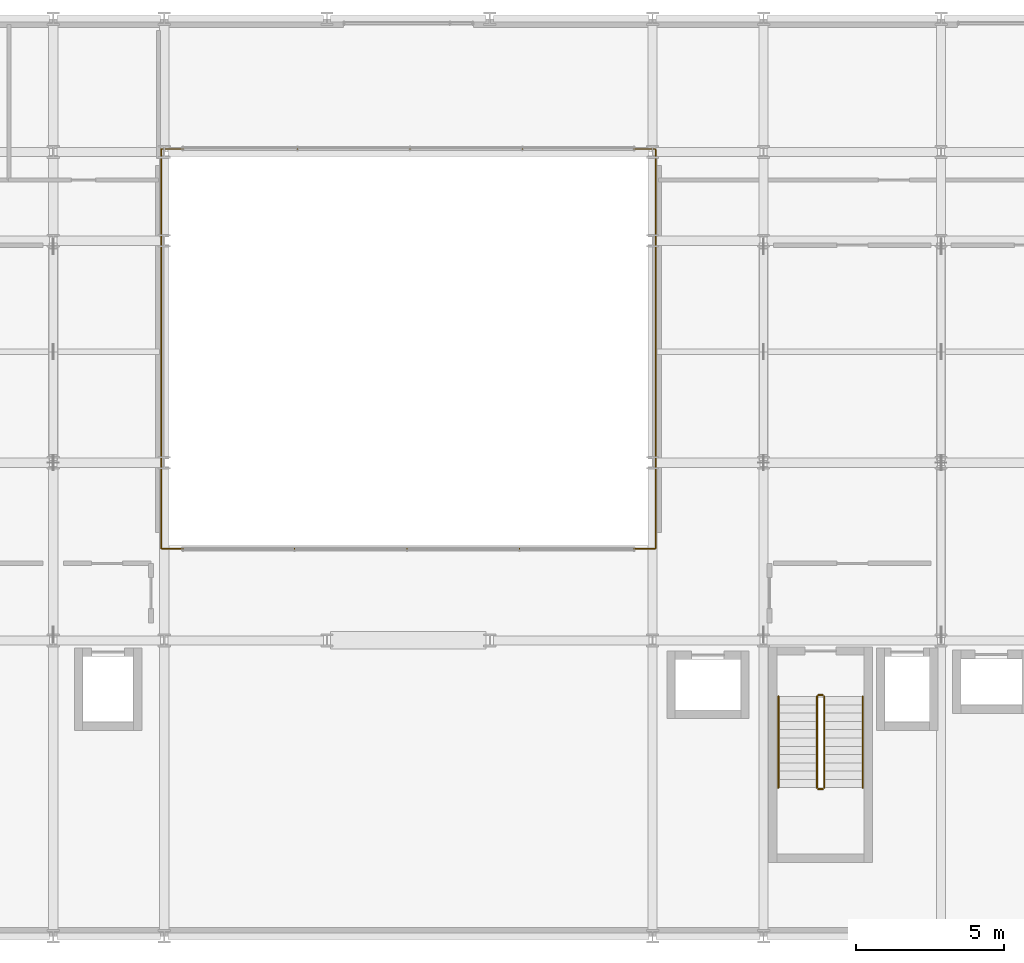
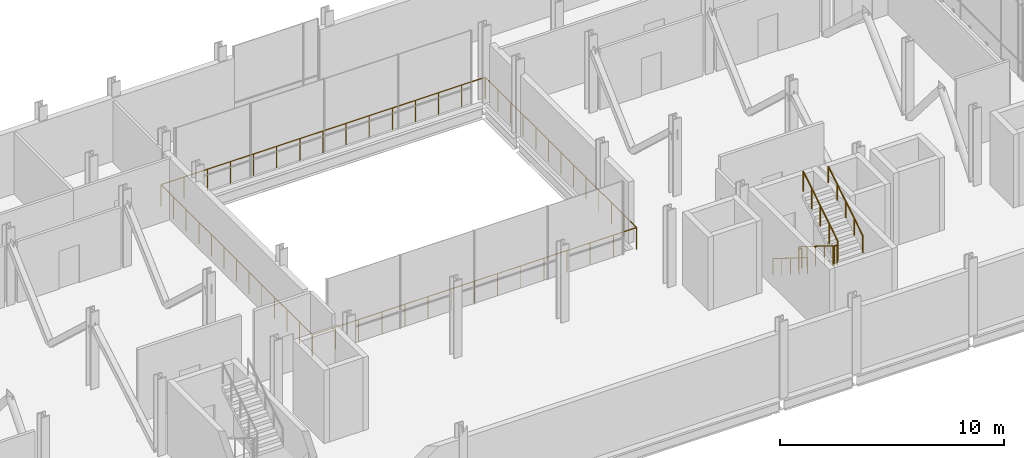
# One storey, part 31 of 32: 8 railings.
"""IFC4 building model written with IfcOpenShell, lengths in metres."""

from ifc_helpers import new_model, si_unit, direction, frame, origin, origin_2d, place, context, subcontext, project, spatial, circle, extrude, material, type_object, element, save


model = new_model("IFC4")

# Units and contexts
model_context = context("Model", 3, precision=1e-05, world=origin(), true_north=direction((0.0, 1.0)))
body_context = subcontext(model_context, "Body", "Model", "MODEL_VIEW")
ifc_project = project(units=[si_unit("LENGTHUNIT", "METRE"), si_unit("AREAUNIT", "SQUARE_METRE"), si_unit("VOLUMEUNIT", "CUBIC_METRE"), si_unit("PLANEANGLEUNIT", "RADIAN"), si_unit("MASSUNIT", "GRAM", prefix="KILO")], contexts=[model_context])

# Site, building, storey
site_placement = place(None, origin())
site = spatial("IfcSite", under=ifc_project, at=site_placement, CompositionType="ELEMENT")
building_placement = place(site_placement, origin())
building = spatial("IfcBuilding", under=site, at=building_placement, Name="Brevholm Reach", CompositionType="ELEMENT")
storey_placement = place(building_placement, frame((0.0, 0.0, 96.199951171875)))
storey = spatial("IfcBuildingStorey", under=building, at=storey_placement, Name="L28", CompositionType="ELEMENT", Elevation=96.199951171875)

# Railings
ifc_material_1 = material(Name="Brushed Stainless Steel EN 1.4401 Continuous Handrail", Category="steel")
railing_type_1 = type_object("IfcRailingType", Name="RAL-HND-950", PredefinedType="HANDRAIL", material=ifc_material_1)
railing_1_placement = place(storey_placement, frame((42.5, 8.10009765625, 0.175048828125)))
element("IfcRailing", 1, at=railing_1_placement, inside=storey, type_object=railing_type_1, Name="L28 ST-2 stair handrail 1", PredefinedType="HANDRAIL", context=body_context, shape_type="SweptSolid", body=[
    extrude(circle(Radius=0.02392578125, at=origin_2d()), frame((0.0, 0.0, 0.8857421875), z_axis=(0.0, -0.847998304005, 0.529998940003), x_axis=(1.0, 0.0, 0.0)), (0.0, 0.0, 1.0), 3.632080078125),
    extrude(circle(Radius=0.02099609375, at=origin_2d()), origin(), (0.0, 0.0, 1.0), 0.86181640625),
    extrude(circle(Radius=0.02099609375, at=origin_2d()), frame((0.0, -0.77001953125, 0.481201171875)), (0.0, 0.0, 1.0), 0.86181640625),
    extrude(circle(Radius=0.02099609375, at=origin_2d()), frame((0.0, -1.5400390625, 0.96240234375)), (0.0, 0.0, 1.0), 0.86181640625),
    extrude(circle(Radius=0.02099609375, at=origin_2d()), frame((0.0, -2.31005859375, 1.44384765625)), (0.0, 0.0, 1.0), 0.86181640625),
    extrude(circle(Radius=0.02099609375, at=origin_2d()), frame((0.0, -3.080078125, 1.925048828125)), (0.0, 0.0, 1.0), 0.86181640625),
])
railing_2_placement = place(storey_placement, frame((45.35009765625, 5.02001953125, 2.275146484375)))
element("IfcRailing", 2, at=railing_2_placement, inside=storey, type_object=railing_type_1, Name="L28 ST-2 stair handrail 2", PredefinedType="HANDRAIL", context=body_context, shape_type="SweptSolid", body=[
    extrude(circle(Radius=0.02392578125, at=origin_2d()), frame((0.0, 0.0, 0.8857421875), z_axis=(0.0, 0.848028513186, 0.529950602248), x_axis=(-1.0, 0.0, 0.0)), (0.0, 0.0, 1.0), 3.632080078125),
    extrude(circle(Radius=0.02099609375, at=origin_2d()), origin(), (0.0, 0.0, 1.0), 0.86181640625),
    extrude(circle(Radius=0.02099609375, at=origin_2d()), frame((0.0, 0.77001953125, 0.481201171875)), (0.0, 0.0, 1.0), 0.86181640625),
    extrude(circle(Radius=0.02099609375, at=origin_2d()), frame((0.0, 1.5400390625, 0.96240234375)), (0.0, 0.0, 1.0), 0.86181640625),
    extrude(circle(Radius=0.02099609375, at=origin_2d()), frame((0.0, 2.31005859375, 1.443603515625)), (0.0, 0.0, 1.0), 0.86181640625),
    extrude(circle(Radius=0.02099609375, at=origin_2d()), frame((0.0, 3.080078125, 1.9248046875)), (0.0, 0.0, 1.0), 0.86181640625),
])
ifc_material_2 = material(Name="Painted Tubular Galvanised Steel S275JR Stair Guard", Category="steel")
railing_type_2 = type_object("IfcRailingType", Name="RAL-STG-1120", PredefinedType="BALUSTRADE", material=ifc_material_2)
railing_3_placement = place(storey_placement, frame((43.800048828125, 8.10009765625, 0.175048828125)))
element("IfcRailing", 3, at=railing_3_placement, inside=storey, type_object=railing_type_2, Name="L28 ST-2 stair guard 1", PredefinedType="BALUSTRADE", context=body_context, shape_type="SweptSolid", body=[
    extrude(circle(Radius=0.02392578125, at=origin_2d()), frame((0.0, 0.0, 1.076171875), z_axis=(0.0, -0.847998304005, 0.529998940003), x_axis=(1.0, 0.0, 0.0)), (0.0, 0.0, 1.0), 3.632080078125),
    extrude(circle(Radius=0.02099609375, at=origin_2d()), origin(), (0.0, 0.0, 1.0), 1.052001953125),
    extrude(circle(Radius=0.02099609375, at=origin_2d()), frame((0.0, -0.77001953125, 0.481201171875)), (0.0, 0.0, 1.0), 1.052001953125),
    extrude(circle(Radius=0.02099609375, at=origin_2d()), frame((0.0, -1.5400390625, 0.96240234375)), (0.0, 0.0, 1.0), 1.052001953125),
    extrude(circle(Radius=0.02099609375, at=origin_2d()), frame((0.0, -2.31005859375, 1.44384765625)), (0.0, 0.0, 1.0), 1.052001953125),
    extrude(circle(Radius=0.02099609375, at=origin_2d()), frame((0.0, -3.080078125, 1.925048828125)), (0.0, 0.0, 1.0), 1.052001953125),
])
railing_4_placement = place(storey_placement, frame((43.85009765625, 4.969970703125, 2.10009765625)))
element("IfcRailing", 4, at=railing_4_placement, inside=storey, type_object=railing_type_2, Name="L28 ST-2 stair guard 2", PredefinedType="BALUSTRADE", context=body_context, shape_type="SweptSolid", body=[
    extrude(circle(Radius=0.02392578125, at=origin_2d()), frame((0.0, 0.0, 1.076171875), z_axis=(1.0, 0.0, 0.0), x_axis=(0.0, 1.0, 0.0)), (0.0, 0.0, 1.0), 0.14990234375),
    extrude(circle(Radius=0.02099609375, at=origin_2d()), origin(), (0.0, 0.0, 1.0), 1.052001953125),
    extrude(circle(Radius=0.02099609375, at=origin_2d()), frame((0.14990234375, 0.0, 0.0)), (0.0, 0.0, 1.0), 1.052001953125),
])
railing_5_placement = place(storey_placement, frame((44.050048828125, 5.02001953125, 2.275146484375)))
element("IfcRailing", 5, at=railing_5_placement, inside=storey, type_object=railing_type_2, Name="L28 ST-2 stair guard 3", PredefinedType="BALUSTRADE", context=body_context, shape_type="SweptSolid", body=[
    extrude(circle(Radius=0.02392578125, at=origin_2d()), frame((0.0, 0.0, 1.076171875), z_axis=(0.0, 0.848028513186, 0.529950602248), x_axis=(-1.0, 0.0, 0.0)), (0.0, 0.0, 1.0), 3.632080078125),
    extrude(circle(Radius=0.02099609375, at=origin_2d()), origin(), (0.0, 0.0, 1.0), 1.052001953125),
    extrude(circle(Radius=0.02099609375, at=origin_2d()), frame((0.0, 0.77001953125, 0.481201171875)), (0.0, 0.0, 1.0), 1.052001953125),
    extrude(circle(Radius=0.02099609375, at=origin_2d()), frame((0.0, 1.5400390625, 0.96240234375)), (0.0, 0.0, 1.0), 1.052001953125),
    extrude(circle(Radius=0.02099609375, at=origin_2d()), frame((0.0, 2.31005859375, 1.443603515625)), (0.0, 0.0, 1.0), 1.052001953125),
    extrude(circle(Radius=0.02099609375, at=origin_2d()), frame((0.0, 3.080078125, 1.9248046875)), (0.0, 0.0, 1.0), 1.052001953125),
])
railing_6_placement = place(storey_placement, frame((43.85009765625, 8.14990234375, 0.0)))
element("IfcRailing", 6, at=railing_6_placement, inside=storey, type_object=railing_type_2, Name="L28 ST-2 stair guard 4", PredefinedType="BALUSTRADE", context=body_context, shape_type="SweptSolid", body=[
    extrude(circle(Radius=0.02392578125, at=origin_2d()), frame((0.0, 0.0, 1.076171875), z_axis=(1.0, 0.0, 0.0), x_axis=(0.0, 1.0, 0.0)), (0.0, 0.0, 1.0), 0.14990234375),
    extrude(circle(Radius=0.02099609375, at=origin_2d()), origin(), (0.0, 0.0, 1.0), 1.052001953125),
    extrude(circle(Radius=0.02099609375, at=origin_2d()), frame((0.14990234375, 0.0, 0.0)), (0.0, 0.0, 1.0), 1.052001953125),
])
ifc_material_3 = material(Name="Brushed Stainless Steel EN 1.4401 and Laminated Glass", Category="steel")
railing_type_3 = type_object("IfcRailingType", Name="RAL-TERR-1200", PredefinedType="BALUSTRADE", material=ifc_material_3)
railing_7_placement = place(storey_placement, frame((21.64990234375, 13.10009765625, 0.0)))
element("IfcRailing", 7, at=railing_7_placement, inside=storey, type_object=railing_type_3, Name="L28 Guard Balustrade RAL-L28-AT-VOID-SW", PredefinedType="BALUSTRADE", context=body_context, shape_type="SweptSolid", body=[
    extrude(circle(Radius=0.02392578125, at=origin_2d()), frame((0.0, 0.0, 1.17578125), z_axis=(1.0, 0.0, 0.0), x_axis=(0.0, 1.0, 0.0)), (0.0, 0.0, 1.0), 16.7001953125),
    extrude(circle(Radius=0.02392578125, at=origin_2d()), frame((16.7001953125, 0.0, 1.17578125), z_axis=(0.0, 1.0, 0.0), x_axis=(-1.0, 0.0, 0.0)), (0.0, 0.0, 1.0), 13.47998046875),
    extrude(circle(Radius=0.02099609375, at=origin_2d()), origin(), (0.0, 0.0, 1.0), 1.15185546875),
    extrude(circle(Radius=0.02099609375, at=origin_2d()), frame((1.19287109375, 0.0, 0.0)), (0.0, 0.0, 1.0), 1.15185546875),
    extrude(circle(Radius=0.02099609375, at=origin_2d()), frame((2.3857421875, 0.0, 0.0)), (0.0, 0.0, 1.0), 1.15185546875),
    extrude(circle(Radius=0.02099609375, at=origin_2d()), frame((3.57861328125, 0.0, 0.0)), (0.0, 0.0, 1.0), 1.15185546875),
    extrude(circle(Radius=0.02099609375, at=origin_2d()), frame((4.771484375, 0.0, 0.0)), (0.0, 0.0, 1.0), 1.15185546875),
    extrude(circle(Radius=0.02099609375, at=origin_2d()), frame((5.96435546875, 0.0, 0.0)), (0.0, 0.0, 1.0), 1.15185546875),
    extrude(circle(Radius=0.02099609375, at=origin_2d()), frame((7.1572265625, 0.0, 0.0)), (0.0, 0.0, 1.0), 1.15185546875),
    extrude(circle(Radius=0.02099609375, at=origin_2d()), frame((8.35009765625, 0.0, 0.0)), (0.0, 0.0, 1.0), 1.15185546875),
    extrude(circle(Radius=0.02099609375, at=origin_2d()), frame((9.54296875, 0.0, 0.0)), (0.0, 0.0, 1.0), 1.15185546875),
    extrude(circle(Radius=0.02099609375, at=origin_2d()), frame((10.73583984375, 0.0, 0.0)), (0.0, 0.0, 1.0), 1.15185546875),
    extrude(circle(Radius=0.02099609375, at=origin_2d()), frame((11.9287109375, 0.0, 0.0)), (0.0, 0.0, 1.0), 1.15185546875),
    extrude(circle(Radius=0.02099609375, at=origin_2d()), frame((13.12158203125, 0.0, 0.0)), (0.0, 0.0, 1.0), 1.15185546875),
    extrude(circle(Radius=0.02099609375, at=origin_2d()), frame((14.314453125, 0.0, 0.0)), (0.0, 0.0, 1.0), 1.15185546875),
    extrude(circle(Radius=0.02099609375, at=origin_2d()), frame((15.50732421875, 0.0, 0.0)), (0.0, 0.0, 1.0), 1.15185546875),
    extrude(circle(Radius=0.02099609375, at=origin_2d()), frame((16.7001953125, 0.0, 0.0)), (0.0, 0.0, 1.0), 1.15185546875),
    extrude(circle(Radius=0.02099609375, at=origin_2d()), frame((16.7001953125, 1.123291015625, 0.0)), (0.0, 0.0, 1.0), 1.15185546875),
    extrude(circle(Radius=0.02099609375, at=origin_2d()), frame((16.7001953125, 2.24658203125, 0.0)), (0.0, 0.0, 1.0), 1.15185546875),
    extrude(circle(Radius=0.02099609375, at=origin_2d()), frame((16.7001953125, 3.3701171875, 0.0)), (0.0, 0.0, 1.0), 1.15185546875),
    extrude(circle(Radius=0.02099609375, at=origin_2d()), frame((16.7001953125, 4.493408203125, 0.0)), (0.0, 0.0, 1.0), 1.15185546875),
    extrude(circle(Radius=0.02099609375, at=origin_2d()), frame((16.7001953125, 5.61669921875, 0.0)), (0.0, 0.0, 1.0), 1.15185546875),
    extrude(circle(Radius=0.02099609375, at=origin_2d()), frame((16.7001953125, 6.739990234375, 0.0)), (0.0, 0.0, 1.0), 1.15185546875),
    extrude(circle(Radius=0.02099609375, at=origin_2d()), frame((16.7001953125, 7.86328125, 0.0)), (0.0, 0.0, 1.0), 1.15185546875),
    extrude(circle(Radius=0.02099609375, at=origin_2d()), frame((16.7001953125, 8.986572265625, 0.0)), (0.0, 0.0, 1.0), 1.15185546875),
    extrude(circle(Radius=0.02099609375, at=origin_2d()), frame((16.7001953125, 10.10986328125, 0.0)), (0.0, 0.0, 1.0), 1.15185546875),
    extrude(circle(Radius=0.02099609375, at=origin_2d()), frame((16.7001953125, 11.2333984375, 0.0)), (0.0, 0.0, 1.0), 1.15185546875),
    extrude(circle(Radius=0.02099609375, at=origin_2d()), frame((16.7001953125, 12.356689453125, 0.0)), (0.0, 0.0, 1.0), 1.15185546875),
    extrude(circle(Radius=0.02099609375, at=origin_2d()), frame((16.7001953125, 13.47998046875, 0.0)), (0.0, 0.0, 1.0), 1.15185546875),
])
railing_8_placement = place(storey_placement, frame((38.330078125, 26.60009765625, 0.0)))
element("IfcRailing", 8, at=railing_8_placement, inside=storey, type_object=railing_type_3, Name="L28 Guard Balustrade RAL-L28-AT-VOID-NE", PredefinedType="BALUSTRADE", context=body_context, shape_type="SweptSolid", body=[
    extrude(circle(Radius=0.02392578125, at=origin_2d()), frame((0.0, 0.0, 1.17578125), z_axis=(-1.0, 0.0, 0.0), x_axis=(0.0, -1.0, 0.0)), (0.0, 0.0, 1.0), 16.68017578125),
    extrude(circle(Radius=0.02392578125, at=origin_2d()), frame((-16.68017578125, 0.0, 1.17578125), z_axis=(0.0, -1.0, 0.0), x_axis=(1.0, 0.0, 0.0)), (0.0, 0.0, 1.0), 13.47998046875),
    extrude(circle(Radius=0.02099609375, at=origin_2d()), origin(), (0.0, 0.0, 1.0), 1.15185546875),
    extrude(circle(Radius=0.02099609375, at=origin_2d()), frame((-1.19140625, 0.0, 0.0)), (0.0, 0.0, 1.0), 1.15185546875),
    extrude(circle(Radius=0.02099609375, at=origin_2d()), frame((-2.3828125, 0.0, 0.0)), (0.0, 0.0, 1.0), 1.15185546875),
    extrude(circle(Radius=0.02099609375, at=origin_2d()), frame((-3.57421875, 0.0, 0.0)), (0.0, 0.0, 1.0), 1.15185546875),
    extrude(circle(Radius=0.02099609375, at=origin_2d()), frame((-4.765869140625, 0.0, 0.0)), (0.0, 0.0, 1.0), 1.15185546875),
    extrude(circle(Radius=0.02099609375, at=origin_2d()), frame((-5.957275390625, 0.0, 0.0)), (0.0, 0.0, 1.0), 1.15185546875),
    extrude(circle(Radius=0.02099609375, at=origin_2d()), frame((-7.148681640625, 0.0, 0.0)), (0.0, 0.0, 1.0), 1.15185546875),
    extrude(circle(Radius=0.02099609375, at=origin_2d()), frame((-8.340087890625, 0.0, 0.0)), (0.0, 0.0, 1.0), 1.15185546875),
    extrude(circle(Radius=0.02099609375, at=origin_2d()), frame((-9.531494140625, 0.0, 0.0)), (0.0, 0.0, 1.0), 1.15185546875),
    extrude(circle(Radius=0.02099609375, at=origin_2d()), frame((-10.722900390625, 0.0, 0.0)), (0.0, 0.0, 1.0), 1.15185546875),
    extrude(circle(Radius=0.02099609375, at=origin_2d()), frame((-11.914306640625, 0.0, 0.0)), (0.0, 0.0, 1.0), 1.15185546875),
    extrude(circle(Radius=0.02099609375, at=origin_2d()), frame((-13.10595703125, 0.0, 0.0)), (0.0, 0.0, 1.0), 1.15185546875),
    extrude(circle(Radius=0.02099609375, at=origin_2d()), frame((-14.29736328125, 0.0, 0.0)), (0.0, 0.0, 1.0), 1.15185546875),
    extrude(circle(Radius=0.02099609375, at=origin_2d()), frame((-15.48876953125, 0.0, 0.0)), (0.0, 0.0, 1.0), 1.15185546875),
    extrude(circle(Radius=0.02099609375, at=origin_2d()), frame((-16.68017578125, 0.0, 0.0)), (0.0, 0.0, 1.0), 1.15185546875),
    extrude(circle(Radius=0.02099609375, at=origin_2d()), frame((-16.68017578125, -1.123291015625, 0.0)), (0.0, 0.0, 1.0), 1.15185546875),
    extrude(circle(Radius=0.02099609375, at=origin_2d()), frame((-16.68017578125, -2.24658203125, 0.0)), (0.0, 0.0, 1.0), 1.15185546875),
    extrude(circle(Radius=0.02099609375, at=origin_2d()), frame((-16.68017578125, -3.3701171875, 0.0)), (0.0, 0.0, 1.0), 1.15185546875),
    extrude(circle(Radius=0.02099609375, at=origin_2d()), frame((-16.68017578125, -4.493408203125, 0.0)), (0.0, 0.0, 1.0), 1.15185546875),
    extrude(circle(Radius=0.02099609375, at=origin_2d()), frame((-16.68017578125, -5.61669921875, 0.0)), (0.0, 0.0, 1.0), 1.15185546875),
    extrude(circle(Radius=0.02099609375, at=origin_2d()), frame((-16.68017578125, -6.739990234375, 0.0)), (0.0, 0.0, 1.0), 1.15185546875),
    extrude(circle(Radius=0.02099609375, at=origin_2d()), frame((-16.68017578125, -7.86328125, 0.0)), (0.0, 0.0, 1.0), 1.15185546875),
    extrude(circle(Radius=0.02099609375, at=origin_2d()), frame((-16.68017578125, -8.986572265625, 0.0)), (0.0, 0.0, 1.0), 1.15185546875),
    extrude(circle(Radius=0.02099609375, at=origin_2d()), frame((-16.68017578125, -10.10986328125, 0.0)), (0.0, 0.0, 1.0), 1.15185546875),
    extrude(circle(Radius=0.02099609375, at=origin_2d()), frame((-16.68017578125, -11.2333984375, 0.0)), (0.0, 0.0, 1.0), 1.15185546875),
    extrude(circle(Radius=0.02099609375, at=origin_2d()), frame((-16.68017578125, -12.356689453125, 0.0)), (0.0, 0.0, 1.0), 1.15185546875),
    extrude(circle(Radius=0.02099609375, at=origin_2d()), frame((-16.68017578125, -13.47998046875, 0.0)), (0.0, 0.0, 1.0), 1.15185546875),
])

save(model, "model.ifc")
